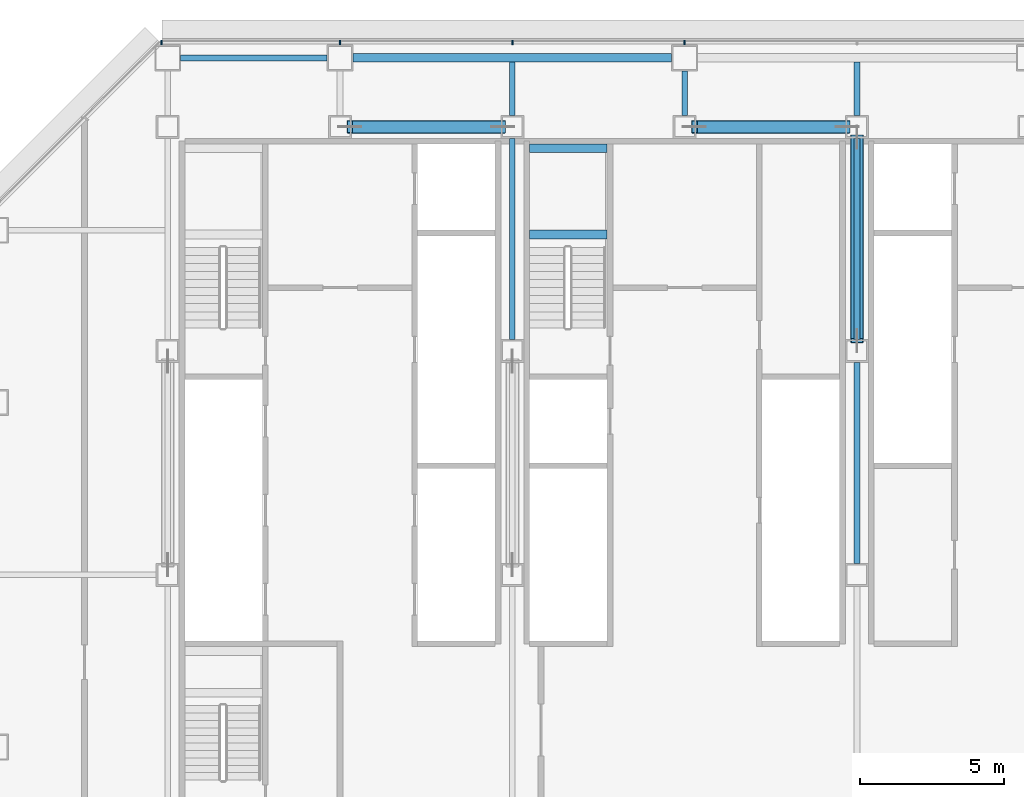
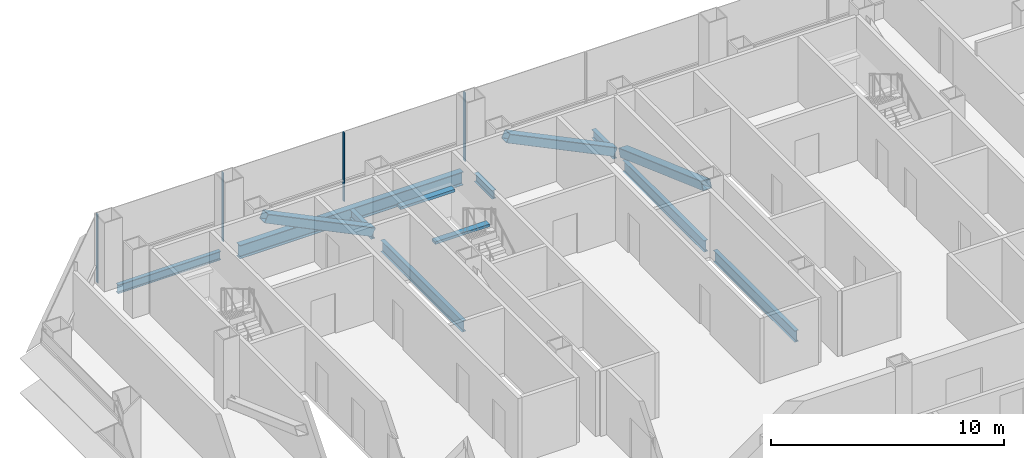
# One storey, part 12 of 26: 10 beams, 7 members, 1 element without a shape of its own.
"""IFC4 building model written with IfcOpenShell, lengths in metres."""

from ifc_helpers import new_model, si_unit, direction, frame, origin, origin_2d, place, context, subcontext, project, spatial, rectangle, hollow_rectangle, i_section, extrude, material, material_profile, profile_set, type_object, element, aggregate, save


model = new_model("IFC4")

# Units and contexts
model_context = context("Model", 3, precision=1e-05, world=origin(), true_north=direction((0.0, 1.0)))
body_context = subcontext(model_context, "Body", "Model", "MODEL_VIEW")
ifc_project = project(units=[si_unit("LENGTHUNIT", "METRE"), si_unit("AREAUNIT", "SQUARE_METRE"), si_unit("VOLUMEUNIT", "CUBIC_METRE"), si_unit("PLANEANGLEUNIT", "RADIAN"), si_unit("MASSUNIT", "GRAM", prefix="KILO")], contexts=[model_context])

# Site, building, storey
site_placement = place(None, origin())
site = spatial("IfcSite", under=ifc_project, at=site_placement, CompositionType="ELEMENT")
building_placement = place(site_placement, origin())
building = spatial("IfcBuilding", under=site, at=building_placement, Name="Sorahane Residences", CompositionType="ELEMENT")
storey_placement = place(building_placement, frame((0.0, 0.0, 67.800048828125)))
storey = spatial("IfcBuildingStorey", under=building, at=storey_placement, Name="L13", CompositionType="ELEMENT", Elevation=67.800048828125)

# Members
ifc_material_1 = material(Name="Steel Q355B", Category="steel")
ifc_material_profile_1 = material_profile(ifc_material_1, hollow_rectangle(XDim=0.449951171875, YDim=0.449951171875, WallThickness=0.02197265625, InnerFilletRadius=0.010986328125, OuterFilletRadius=0.032958984375, at=origin_2d()), Name="RHS 450x450x22")
ifc_profile_set_1 = profile_set([ifc_material_profile_1], Name="Steel Q355B")
member_type_1 = type_object("IfcMemberType", Name="Core brace RHS 450x450x22 Q355B", PredefinedType="BRACE", material=ifc_profile_set_1)
for number, where, z_axis, x_axis, name in (
    (1, (17.658935546875, 45.60009765625, 0.196533203125), (-0.899910905173, 0.0, 0.436073804247), (0.0, -1.0, 0.0), "Core brace L13 y45.6-2"),
    (2, (29.658935546875, 45.60009765625, 0.196533203125), (-0.899910905173, 0.0, 0.436073804247), (0.0, -1.0, 0.0), "Core brace L13 y45.6-4"),
):
    element("IfcMember", number, at=place(storey_placement, frame(where, z_axis=z_axis, x_axis=x_axis)), inside=storey, type_object=member_type_1, Name=name, PredefinedType="BRACE", context=body_context, shape_type="SweptSolid", body=[
        extrude(hollow_rectangle(XDim=0.449951171875, YDim=0.449951171875, WallThickness=0.02197265625, InnerFilletRadius=0.010986328125, OuterFilletRadius=0.032958984375, at=origin_2d()), origin(), (0.0, 0.0, 1.0), 5.909423828125),
    ])
member_1_placement = place(storey_placement, frame((30.0, 45.24560546875, 0.20849609375), z_axis=(0.0, -0.940882869443, 0.338732085856), x_axis=(1.0, 0.0, 0.0)))
element("IfcMember", 3, at=member_1_placement, inside=storey, type_object=member_type_1, Name="Core brace L13 x30-2", PredefinedType="BRACE", context=body_context, shape_type="SweptSolid", body=[
    extrude(hollow_rectangle(XDim=0.449951171875, YDim=0.449951171875, WallThickness=0.02197265625, InnerFilletRadius=0.010986328125, OuterFilletRadius=0.032958984375, at=origin_2d()), origin(), (0.0, 0.0, 1.0), 7.536865234375),
])

# Curtain wall, members
ifc_material_2 = material(Name="Dark low-e glass and black anodised aluminium", Category="aluminium")
curtain_wall_type = type_object("IfcCurtainWallType", Name="Curtain wall CW-1 Typical unitised wall", PredefinedType="NOTDEFINED", material=ifc_material_2)
curtain_wall_placement = place(storey_placement, origin())
curtain_wall = element("IfcCurtainWall", 4, at=curtain_wall_placement, inside=storey, type_object=curtain_wall_type, Name="CW-1 curtain wall L13 N1", PredefinedType="NOTDEFINED")
ifc_material_3 = material(Name="Black anodised aluminium", Category="aluminium")
ifc_material_profile_2 = material_profile(ifc_material_3, rectangle(XDim=0.159912109375, YDim=0.050048828125, at=origin_2d()), Name="Curtain wall mullion CW-1 black anodised aluminium 50x160")
ifc_profile_set_2 = profile_set([ifc_material_profile_2], Name="Black anodised aluminium")
member_type_2 = type_object("IfcMemberType", Name="Curtain wall mullion CW-1 black anodised aluminium 50x160", PredefinedType="MULLION", material=ifc_profile_set_2)
member_2_placement = place(storey_placement, frame((24.0, 48.5400390625, -0.179931640625), z_axis=(0.0, 0.0, 1.0), x_axis=(0.0, 1.0, 0.0)))
member_2 = element("IfcMember", 5, at=member_2_placement, type_object=member_type_2, Name="CW-1 mullion L13 N1.7", PredefinedType="MULLION", context=body_context, shape_type="SweptSolid", body=[
    extrude(rectangle(XDim=0.159912109375, YDim=0.050048828125, at=origin_2d()), origin(), (0.0, 0.0, 1.0), 3.599853515625),
])
member_3_placement = place(storey_placement, frame((18.0, 48.5400390625, -0.179931640625), z_axis=(0.0, 0.0, 1.0), x_axis=(0.0, 1.0, 0.0)))
member_3 = element("IfcMember", 6, at=member_3_placement, type_object=member_type_2, Name="CW-1 mullion L13 N1.8", PredefinedType="MULLION", context=body_context, shape_type="SweptSolid", body=[
    extrude(rectangle(XDim=0.159912109375, YDim=0.050048828125, at=origin_2d()), origin(), (0.0, 0.0, 1.0), 3.599853515625),
])
member_4_placement = place(storey_placement, frame((12.0, 48.5400390625, -0.179931640625), z_axis=(0.0, 0.0, 1.0), x_axis=(0.0, 1.0, 0.0)))
member_4 = element("IfcMember", 7, at=member_4_placement, type_object=member_type_2, Name="CW-1 mullion L13 N1.9", PredefinedType="MULLION", context=body_context, shape_type="SweptSolid", body=[
    extrude(rectangle(XDim=0.159912109375, YDim=0.050048828125, at=origin_2d()), origin(), (0.0, 0.0, 1.0), 3.599853515625),
])
member_5_placement = place(storey_placement, frame((5.7763671875, 48.5400390625, -0.179931640625), z_axis=(0.0, 0.0, 1.0), x_axis=(0.0, 1.0, 0.0)))
member_5 = element("IfcMember", 8, at=member_5_placement, type_object=member_type_2, Name="CW-1 mullion L13 N1.10", PredefinedType="MULLION", context=body_context, shape_type="SweptSolid", body=[
    extrude(rectangle(XDim=0.159912109375, YDim=0.050048828125, at=origin_2d()), origin(), (0.0, 0.0, 1.0), 3.599853515625),
])
aggregate(curtain_wall, [member_2, member_3, member_4, member_5])

# Beams
ifc_material_4 = material(Name="Concrete C40", Category="concrete")
ifc_material_profile_3 = material_profile(ifc_material_4, rectangle(XDim=0.300048828125, YDim=0.139892578125, at=origin_2d()), Name="300x140")
ifc_profile_set_3 = profile_set([ifc_material_profile_3], Name="Concrete C40")
beam_type_1 = type_object("IfcBeamType", Name="RC landing beam 300 x 140 Concrete C40", PredefinedType="BEAM", material=ifc_profile_set_3)
for number, where, z_axis, x_axis, name in (
    (9, (18.60009765625, 41.85009765625, 1.530029296875), (1.0, 0.0, 0.0), (0.0, 1.0, 0.0), "Landing beam"),
    (10, (18.60009765625, 44.85009765625, 1.530029296875), (1.0, 0.0, 0.0), (0.0, 1.0, 0.0), "Landing beam"),
):
    element("IfcBeam", number, at=place(storey_placement, frame(where, z_axis=z_axis, x_axis=x_axis)), inside=storey, type_object=beam_type_1, Name=name, PredefinedType="BEAM", context=body_context, shape_type="SweptSolid", body=[
        extrude(rectangle(XDim=0.300048828125, YDim=0.139892578125, at=origin_2d()), origin(), (0.0, 0.0, 1.0), 2.699951171875),
    ])
ifc_material_5 = material(Name="Steel Q355B", Category="steel")
ifc_material_profile_4 = material_profile(ifc_material_5, i_section(OverallWidth=0.199951171875, OverallDepth=0.449951171875, WebThickness=0.009033203125, FlangeThickness=0.013916015625, FilletRadius=0.02001953125, at=origin_2d()), Name="HN 450x200x9x14")
ifc_profile_set_4 = profile_set([ifc_material_profile_4], Name="Steel Q355B")
beam_type_2 = type_object("IfcBeamType", Name="Steel floor beam HN 450x200x9x14 Q355B", PredefinedType="BEAM", material=ifc_profile_set_4)
beam_1_placement = place(storey_placement, frame((6.449951171875, 48.0, -0.405029296875), z_axis=(1.0, 0.0, 0.0), x_axis=(0.0, 1.0, 0.0)))
element("IfcBeam", 11, at=beam_1_placement, inside=storey, type_object=beam_type_2, Name="Beam L13 012", PredefinedType="BEAM", context=body_context, shape_type="SweptSolid", body=[
    extrude(i_section(OverallWidth=0.199951171875, OverallDepth=0.449951171875, WebThickness=0.009033203125, FlangeThickness=0.013916015625, FilletRadius=0.02001953125, at=origin_2d()), origin(), (0.0, 0.0, 1.0), 5.10009765625),
])
beam_2_placement = place(storey_placement, frame((18.0, 46.0, -0.405029296875), z_axis=(0.0, 1.0, 0.0), x_axis=(-1.0, 0.0, 0.0)))
element("IfcBeam", 12, at=beam_2_placement, inside=storey, type_object=beam_type_2, Name="Beam L13 034", PredefinedType="BEAM", context=body_context, shape_type="SweptSolid", body=[
    extrude(i_section(OverallWidth=0.199951171875, OverallDepth=0.449951171875, WebThickness=0.009033203125, FlangeThickness=0.013916015625, FilletRadius=0.02001953125, at=origin_2d()), origin(), (0.0, 0.0, 1.0), 1.85009765625),
])
beam_3_placement = place(storey_placement, frame((24.0, 46.0, -0.405029296875), z_axis=(0.0, 1.0, 0.0), x_axis=(-1.0, 0.0, 0.0)))
element("IfcBeam", 13, at=beam_3_placement, inside=storey, type_object=beam_type_2, Name="Beam L13 036", PredefinedType="BEAM", context=body_context, shape_type="SweptSolid", body=[
    extrude(i_section(OverallWidth=0.199951171875, OverallDepth=0.449951171875, WebThickness=0.009033203125, FlangeThickness=0.013916015625, FilletRadius=0.02001953125, at=origin_2d()), origin(), (0.0, 0.0, 1.0), 1.550048828125),
])
beam_4_placement = place(storey_placement, frame((30.0, 46.0, -0.405029296875), z_axis=(0.0, 1.0, 0.0), x_axis=(-1.0, 0.0, 0.0)))
element("IfcBeam", 14, at=beam_4_placement, inside=storey, type_object=beam_type_2, Name="Beam L13 042", PredefinedType="BEAM", context=body_context, shape_type="SweptSolid", body=[
    extrude(i_section(OverallWidth=0.199951171875, OverallDepth=0.449951171875, WebThickness=0.009033203125, FlangeThickness=0.013916015625, FilletRadius=0.02001953125, at=origin_2d()), origin(), (0.0, 0.0, 1.0), 1.85009765625),
])
ifc_material_6 = material(Name="Steel Q355B", Category="steel")
ifc_material_profile_5 = material_profile(ifc_material_6, i_section(OverallWidth=0.199951171875, OverallDepth=0.60009765625, WebThickness=0.010986328125, FlangeThickness=0.01708984375, FilletRadius=0.02392578125, at=origin_2d()), Name="HN 600x200x11x17")
ifc_profile_set_5 = profile_set([ifc_material_profile_5], Name="Steel Q355B")
beam_type_3 = type_object("IfcBeamType", Name="Steel floor beam HN 600x200x11x17 Q355B", PredefinedType="BEAM", material=ifc_profile_set_5)
for number, where, z_axis, x_axis, name in (
    (15, (18.0, 38.199951171875, -0.47998046875), (0.0, 1.0, 0.0), (-1.0, 0.0, 0.0), "Beam L13 033"),
    (16, (30.0, 30.39990234375, -0.47998046875), (0.0, 1.0, 0.0), (-1.0, 0.0, 0.0), "Beam L13 040"),
    (17, (30.0, 38.199951171875, -0.47998046875), (0.0, 1.0, 0.0), (-1.0, 0.0, 0.0), "Beam L13 041"),
):
    element("IfcBeam", number, at=place(storey_placement, frame(where, z_axis=z_axis, x_axis=x_axis)), inside=storey, type_object=beam_type_3, Name=name, PredefinedType="BEAM", context=body_context, shape_type="SweptSolid", body=[
        extrude(i_section(OverallWidth=0.199951171875, OverallDepth=0.60009765625, WebThickness=0.010986328125, FlangeThickness=0.01708984375, FilletRadius=0.02392578125, at=origin_2d()), origin(), (0.0, 0.0, 1.0), 7.0),
    ])
ifc_material_7 = material(Name="Steel Q355B", Category="steel")
ifc_material_profile_6 = material_profile(ifc_material_7, i_section(OverallWidth=0.300048828125, OverallDepth=0.699951171875, WebThickness=0.012939453125, FlangeThickness=0.02392578125, FilletRadius=0.028076171875, at=origin_2d()), Name="HN 700x300x13x24")
ifc_profile_set_6 = profile_set([ifc_material_profile_6], Name="Steel Q355B")
beam_type_4 = type_object("IfcBeamType", Name="Steel floor beam HN 700x300x13x24 Q355B", PredefinedType="BEAM", material=ifc_profile_set_6)
beam_5_placement = place(storey_placement, frame((12.449951171875, 48.0, -0.530029296875), z_axis=(1.0, 0.0, 0.0), x_axis=(0.0, 1.0, 0.0)))
element("IfcBeam", 18, at=beam_5_placement, inside=storey, type_object=beam_type_4, Name="Beam L13 013", PredefinedType="BEAM", context=body_context, shape_type="SweptSolid", body=[
    extrude(i_section(OverallWidth=0.300048828125, OverallDepth=0.699951171875, WebThickness=0.012939453125, FlangeThickness=0.02392578125, FilletRadius=0.028076171875, at=origin_2d()), origin(), (0.0, 0.0, 1.0), 11.10009765625),
])

save(model, "model.ifc")
